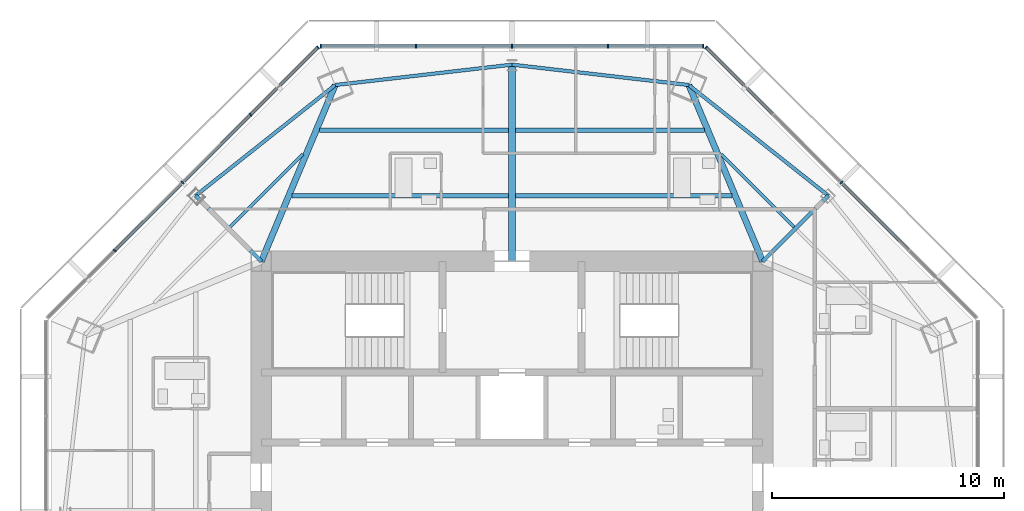
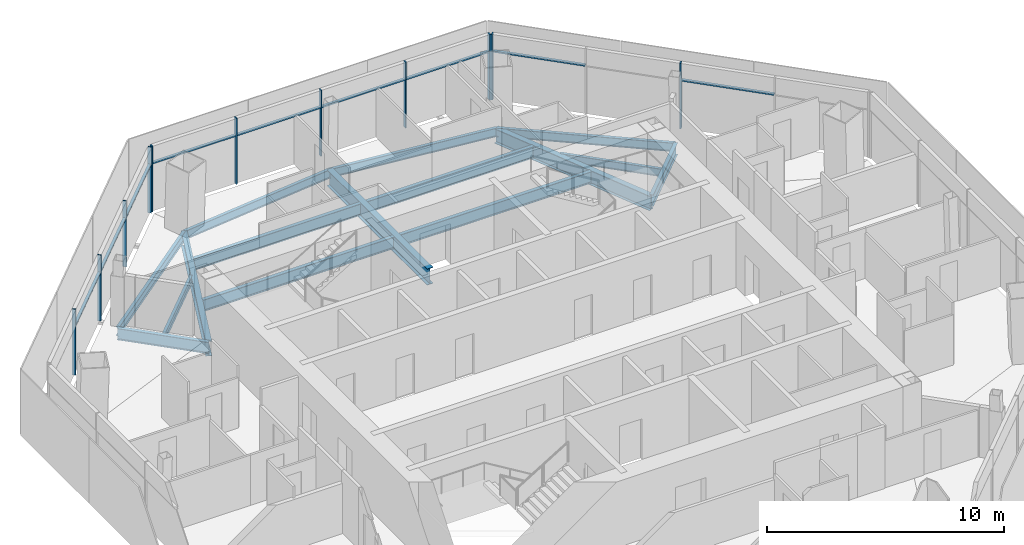
# One storey, part 6 of 15: 20 members, 15 beams, 3 elements without a shape of their own.
"""IFC4 building model written with IfcOpenShell, lengths in metres."""

from ifc_helpers import new_model, si_unit, direction, frame, origin, origin_2d, place, context, subcontext, project, spatial, rectangle, i_section, extrude, source, transform, mapped, material, material_profile, profile_set, type_object, type_shapes, element, aggregate, save


model = new_model("IFC4")

# Units and contexts
model_context = context("Model", 3, precision=1e-05, world=origin(), true_north=direction((0.0, 1.0)))
body_context = subcontext(model_context, "Body", "Model", "MODEL_VIEW")
ifc_project = project(units=[si_unit("LENGTHUNIT", "METRE"), si_unit("AREAUNIT", "SQUARE_METRE"), si_unit("VOLUMEUNIT", "CUBIC_METRE"), si_unit("PLANEANGLEUNIT", "RADIAN"), si_unit("MASSUNIT", "GRAM", prefix="KILO")], contexts=[model_context])

# Site, building, storey
site_placement = place(None, origin())
site = spatial("IfcSite", under=ifc_project, at=site_placement, CompositionType="ELEMENT")
building_placement = place(site_placement, origin())
building = spatial("IfcBuilding", under=site, at=building_placement, Name="Mashrafa Tower", CompositionType="ELEMENT")
storey_placement = place(building_placement, frame((0.0, 0.0, 281.0)))
storey = spatial("IfcBuildingStorey", under=building, at=storey_placement, Name="L68", CompositionType="ELEMENT", Elevation=281.0)

# Beams
ifc_material_1 = material(Name="Steel ASTM A992", Category="steel")
ifc_material_profile_1 = material_profile(ifc_material_1, i_section(OverallWidth=0.140380859375, OverallDepth=0.40380859375, WebThickness=0.007080078125, FlangeThickness=0.01123046875, FilletRadius=0.01025390625, at=origin_2d()), Name="W16X31")
ifc_profile_set_1 = profile_set([ifc_material_profile_1], Name="Steel ASTM A992")
beam_type_1 = type_object("IfcBeamType", Name="Beam W16X31", PredefinedType="BEAM", material=ifc_profile_set_1)
for number, where, z_axis, x_axis, name in (
    (1, (-12.150390625, 12.276611328125, -0.40185546875), (0.707106781187, 0.707106781187, 0.0), (-0.707106781187, 0.707106781187, 0.0), "Floor beam L68 007"),
    (2, (9.010498046875, 15.41650390625, -0.40185546875), (0.707106781187, -0.707106781187, 0.0), (0.707106781187, 0.707106781187, 0.0), "Floor beam L68 016"),
):
    element("IfcBeam", number, at=place(storey_placement, frame(where, z_axis=z_axis, x_axis=x_axis)), inside=storey, type_object=beam_type_1, Name=name, PredefinedType="BEAM", context=body_context, shape_type="SweptSolid", body=[
        extrude(i_section(OverallWidth=0.140380859375, OverallDepth=0.40380859375, WebThickness=0.007080078125, FlangeThickness=0.01123046875, FilletRadius=0.01025390625, at=origin_2d()), origin(), (0.0, 0.0, 1.0), 4.4404296875),
    ])
ifc_material_2 = material(Name="Steel ASTM A992", Category="steel")
ifc_material_profile_2 = material_profile(ifc_material_2, i_section(OverallWidth=0.15234375, OverallDepth=0.449462890625, WebThickness=0.007568359375, FlangeThickness=0.0107421875, FilletRadius=0.01025390625, at=origin_2d()), Name="W18X35")
ifc_profile_set_2 = profile_set([ifc_material_profile_2], Name="Steel ASTM A992")
beam_type_2 = type_object("IfcBeamType", Name="Beam W18X35", PredefinedType="BEAM", material=ifc_profile_set_2)
for number, where, z_axis, x_axis, name in (
    (3, (-7.61865234375, 18.39306640625, -0.4248046875), (-0.783439955868, -0.621467485512, 0.0), (0.621467485512, -0.783439955868, 0.0), "Spandrel beam L68 047"),
    (4, (0.0, 19.271240234375, -0.4248046875), (-0.993422313462, -0.114508109387, 0.0), (0.114508109387, -0.993422313462, 0.0), "Spandrel beam L68 049"),
    (5, (7.61865234375, 18.39306640625, -0.4248046875), (-0.993422313462, 0.114508109387, 0.0), (-0.114508109387, -0.993422313462, 0.0), "Spandrel beam L68 051"),
    (6, (13.626953125, 13.626953125, -0.4248046875), (-0.783439955868, 0.621467485512, 0.0), (-0.621467485512, -0.783439955868, 0.0), "Spandrel beam L68 053"),
):
    element("IfcBeam", number, at=place(storey_placement, frame(where, z_axis=z_axis, x_axis=x_axis)), inside=storey, type_object=beam_type_2, Name=name, PredefinedType="BEAM", context=body_context, shape_type="SweptSolid", body=[
        extrude(i_section(OverallWidth=0.15234375, OverallDepth=0.449462890625, WebThickness=0.007568359375, FlangeThickness=0.0107421875, FilletRadius=0.01025390625, at=origin_2d()), origin(), (0.0, 0.0, 1.0), 7.669189453125),
    ])
ifc_material_3 = material(Name="Steel ASTM A992", Category="steel")
ifc_material_profile_3 = material_profile(ifc_material_3, i_section(OverallWidth=0.177978515625, OverallDepth=0.599365234375, WebThickness=0.010009765625, FlangeThickness=0.012939453125, FilletRadius=0.012939453125, at=origin_2d()), Name="W24X55")
ifc_profile_set_3 = profile_set([ifc_material_profile_3], Name="Steel ASTM A992")
beam_type_3 = type_object("IfcBeamType", Name="Beam W24X55", PredefinedType="BEAM", material=ifc_profile_set_3)
beam_1_placement = place(storey_placement, frame((-9.472412109375, 13.623779296875, -0.499755859375), z_axis=(1.0, 0.0, 0.0), x_axis=(0.0, 1.0, 0.0)))
element("IfcBeam", 7, at=beam_1_placement, inside=storey, type_object=beam_type_3, Name="Floor beam L68 008", PredefinedType="BEAM", context=body_context, shape_type="SweptSolid", body=[
    extrude(i_section(OverallWidth=0.177978515625, OverallDepth=0.599365234375, WebThickness=0.010009765625, FlangeThickness=0.012939453125, FilletRadius=0.012939453125, at=origin_2d()), origin(), (0.0, 0.0, 1.0), 9.326416015625),
])
beam_2_placement = place(storey_placement, frame((-8.289306640625, 16.447509765625, -0.499755859375), z_axis=(1.0, 0.0, 0.0), x_axis=(0.0, 1.0, 0.0)))
element("IfcBeam", 8, at=beam_2_placement, inside=storey, type_object=beam_type_3, Name="Floor beam L68 010", PredefinedType="BEAM", context=body_context, shape_type="SweptSolid", body=[
    extrude(i_section(OverallWidth=0.177978515625, OverallDepth=0.599365234375, WebThickness=0.010009765625, FlangeThickness=0.012939453125, FilletRadius=0.012939453125, at=origin_2d()), origin(), (0.0, 0.0, 1.0), 8.143310546875),
])
beam_3_placement = place(storey_placement, frame((0.14599609375, 13.623779296875, -0.499755859375), z_axis=(1.0, 0.0, 0.0), x_axis=(0.0, 1.0, 0.0)))
element("IfcBeam", 9, at=beam_3_placement, inside=storey, type_object=beam_type_3, Name="Floor beam L68 013", PredefinedType="BEAM", context=body_context, shape_type="SweptSolid", body=[
    extrude(i_section(OverallWidth=0.177978515625, OverallDepth=0.599365234375, WebThickness=0.010009765625, FlangeThickness=0.012939453125, FilletRadius=0.012939453125, at=origin_2d()), origin(), (0.0, 0.0, 1.0), 9.326416015625),
])
beam_4_placement = place(storey_placement, frame((0.14599609375, 16.447509765625, -0.499755859375), z_axis=(1.0, 0.0, 0.0), x_axis=(0.0, 1.0, 0.0)))
element("IfcBeam", 10, at=beam_4_placement, inside=storey, type_object=beam_type_3, Name="Floor beam L68 014", PredefinedType="BEAM", context=body_context, shape_type="SweptSolid", body=[
    extrude(i_section(OverallWidth=0.177978515625, OverallDepth=0.599365234375, WebThickness=0.010009765625, FlangeThickness=0.012939453125, FilletRadius=0.012939453125, at=origin_2d()), origin(), (0.0, 0.0, 1.0), 8.143310546875),
])
for number, where, z_axis, x_axis, name in (
    (11, (-10.800048828125, 10.800048828125, -0.499755859375), (-0.707106781187, 0.707106781187, 0.0), (-0.707106781187, -0.707106781187, 0.0), "Radial girder L68 030"),
    (12, (10.800048828125, 10.800048828125, -0.499755859375), (0.707106781187, 0.707106781187, 0.0), (-0.707106781187, 0.707106781187, 0.0), "Radial girder L68 039"),
):
    element("IfcBeam", number, at=place(storey_placement, frame(where, z_axis=z_axis, x_axis=x_axis)), inside=storey, type_object=beam_type_3, Name=name, PredefinedType="BEAM", context=body_context, shape_type="SweptSolid", body=[
        extrude(i_section(OverallWidth=0.177978515625, OverallDepth=0.599365234375, WebThickness=0.010009765625, FlangeThickness=0.012939453125, FilletRadius=0.012939453125, at=origin_2d()), origin(), (0.0, 0.0, 1.0), 3.997802734375),
    ])
ifc_material_4 = material(Name="Steel ASTM A992", Category="steel")
ifc_material_profile_4 = material_profile(ifc_material_4, i_section(OverallWidth=0.2666015625, OverallDepth=0.761962890625, WebThickness=0.014404296875, FlangeThickness=0.021484375, FilletRadius=0.0166015625, at=origin_2d()), Name="W30X116")
ifc_profile_set_4 = profile_set([ifc_material_profile_4], Name="Steel ASTM A992")
beam_type_4 = type_object("IfcBeamType", Name="Beam W30X116", PredefinedType="BEAM", material=ifc_profile_set_4)
for number, where, z_axis, x_axis, name in (
    (13, (-10.800048828125, 10.800048828125, -0.5810546875), (0.386440285597, 0.922314428851, 0.0), (-0.922314428851, 0.386440285597, 0.0), "Radial girder L68 031"),
    (14, (10.800048828125, 10.800048828125, -0.5810546875), (-0.386440285597, 0.922314428851, 0.0), (-0.922314428851, -0.386440285597, 0.0), "Radial girder L68 038"),
):
    element("IfcBeam", number, at=place(storey_placement, frame(where, z_axis=z_axis, x_axis=x_axis)), inside=storey, type_object=beam_type_4, Name=name, PredefinedType="BEAM", context=body_context, shape_type="SweptSolid", body=[
        extrude(i_section(OverallWidth=0.2666015625, OverallDepth=0.761962890625, WebThickness=0.014404296875, FlangeThickness=0.021484375, FilletRadius=0.0166015625, at=origin_2d()), origin(), (0.0, 0.0, 1.0), 8.232666015625),
    ])
ifc_material_5 = material(Name="Steel ASTM A992", Category="steel")
ifc_material_profile_5 = material_profile(ifc_material_5, i_section(OverallWidth=0.2919921875, OverallDepth=0.845703125, WebThickness=0.015380859375, FlangeThickness=0.0244140625, FilletRadius=0.017333984375, at=origin_2d()), Name="W33X141")
ifc_profile_set_5 = profile_set([ifc_material_profile_5], Name="Steel ASTM A992")
beam_type_5 = type_object("IfcBeamType", Name="Beam W33X141", PredefinedType="BEAM", material=ifc_profile_set_5)
beam_5_placement = place(storey_placement, frame((0.0, 10.800048828125, -0.622802734375), z_axis=(0.0, 1.0, 0.0), x_axis=(-1.0, 0.0, 0.0)))
element("IfcBeam", 15, at=beam_5_placement, inside=storey, type_object=beam_type_5, Name="Radial girder L68 033", PredefinedType="BEAM", context=body_context, shape_type="SweptSolid", body=[
    extrude(i_section(OverallWidth=0.2919921875, OverallDepth=0.845703125, WebThickness=0.015380859375, FlangeThickness=0.0244140625, FilletRadius=0.017333984375, at=origin_2d()), origin(), (0.0, 0.0, 1.0), 8.47119140625),
])

# Curtain wall, members
ifc_material_6 = material(Name="Unitised aluminium curtain wall", Category="aluminium")
curtain_wall_type = type_object("IfcCurtainWallType", Name="Apartment curtain wall, zone 4 CW-D 160 deep", PredefinedType="NOTDEFINED", material=ifc_material_6)
curtain_wall_1_placement = place(storey_placement, origin())
curtain_wall_1 = element("IfcCurtainWall", 16, at=curtain_wall_1_placement, inside=storey, type_object=curtain_wall_type, Name="Apartment curtain wall, zone 4 L68 north-east", PredefinedType="NOTDEFINED")
ifc_material_7 = material(Name="Extruded aluminium mullion", Category="aluminium")
ifc_material_profile_6 = material_profile(ifc_material_7, rectangle(XDim=0.159912109375, YDim=0.06005859375, at=origin_2d()), Name="Mullion 60x160")
ifc_profile_set_6 = profile_set([ifc_material_profile_6], Name="Extruded aluminium mullion")
member_type_1 = type_object("IfcMemberType", Name="Mullion CW-D 60 x 160", PredefinedType="MULLION", material=ifc_profile_set_6)
shared_shape_1 = source(origin(), body_context, "Body", "SweptSolid", [
    extrude(rectangle(XDim=0.159912109375, YDim=0.06005859375, at=origin_2d()), origin(), (0.0, 0.0, 1.0), 3.39990234375),
])
type_shapes(member_type_1, [shared_shape_1])
member_1_placement = place(storey_placement, frame((14.1884765625, 14.1884765625, 0.0), z_axis=(0.0, 0.0, 1.0), x_axis=(-0.707106781187, -0.707106781187, 0.0)))
member_1 = element("IfcMember", 17, at=member_1_placement, type_object=member_type_1, Name="CW-D mullion 3", PredefinedType="MULLION", context=body_context, shape_type="MappedRepresentation", body=[
    mapped(shared_shape_1, transform((0.0, 0.0, 0.0))),
])
member_2_placement = place(storey_placement, frame((8.36328125, 20.013916015625, 0.0), z_axis=(0.0, 0.0, 1.0), x_axis=(-0.707106781187, -0.707106781187, 0.0)))
member_2 = element("IfcMember", 18, at=member_2_placement, type_object=member_type_1, Name="CW-D mullion 5", PredefinedType="MULLION", context=body_context, shape_type="MappedRepresentation", body=[
    mapped(shared_shape_1, transform((0.0, 0.0, 0.0))),
])

curtain_wall_2_placement = place(storey_placement, origin())
curtain_wall_2 = element("IfcCurtainWall", 19, at=curtain_wall_2_placement, inside=storey, type_object=curtain_wall_type, Name="Apartment curtain wall, zone 4 L68 north", PredefinedType="NOTDEFINED")
member_3_placement = place(storey_placement, frame((8.23828125, 20.065673828125, 0.0), z_axis=(0.0, 0.0, 1.0), x_axis=(0.0, -1.0, 0.0)))
member_3 = element("IfcMember", 20, at=member_3_placement, type_object=member_type_1, Name="CW-D mullion 1", PredefinedType="MULLION", context=body_context, shape_type="MappedRepresentation", body=[
    mapped(shared_shape_1, transform((0.0, 0.0, 0.0))),
])
member_4_placement = place(storey_placement, frame((4.13427734375, 20.065673828125, 0.0), z_axis=(0.0, 0.0, 1.0), x_axis=(0.0, -1.0, 0.0)))
member_4 = element("IfcMember", 21, at=member_4_placement, type_object=member_type_1, Name="CW-D mullion 2", PredefinedType="MULLION", context=body_context, shape_type="MappedRepresentation", body=[
    mapped(shared_shape_1, transform((0.0, 0.0, 0.0))),
])
member_5_placement = place(storey_placement, frame((0.0, 20.065673828125, 0.0), z_axis=(0.0, 0.0, 1.0), x_axis=(0.0, -1.0, 0.0)))
member_5 = element("IfcMember", 22, at=member_5_placement, type_object=member_type_1, Name="CW-D mullion 3", PredefinedType="MULLION", context=body_context, shape_type="MappedRepresentation", body=[
    mapped(shared_shape_1, transform((0.0, 0.0, 0.0))),
])
member_6_placement = place(storey_placement, frame((-4.13427734375, 20.065673828125, 0.0), z_axis=(0.0, 0.0, 1.0), x_axis=(0.0, -1.0, 0.0)))
member_6 = element("IfcMember", 23, at=member_6_placement, type_object=member_type_1, Name="CW-D mullion 4", PredefinedType="MULLION", context=body_context, shape_type="MappedRepresentation", body=[
    mapped(shared_shape_1, transform((0.0, 0.0, 0.0))),
])
member_7_placement = place(storey_placement, frame((-8.23828125, 20.065673828125, 0.0), z_axis=(0.0, 0.0, 1.0), x_axis=(0.0, -1.0, 0.0)))
member_7 = element("IfcMember", 24, at=member_7_placement, type_object=member_type_1, Name="CW-D mullion 5", PredefinedType="MULLION", context=body_context, shape_type="MappedRepresentation", body=[
    mapped(shared_shape_1, transform((0.0, 0.0, 0.0))),
])

curtain_wall_3_placement = place(storey_placement, origin())
curtain_wall_3 = element("IfcCurtainWall", 25, at=curtain_wall_3_placement, inside=storey, type_object=curtain_wall_type, Name="Apartment curtain wall, zone 4 L68 north-west", PredefinedType="NOTDEFINED")
member_8_placement = place(storey_placement, frame((-8.36328125, 20.013916015625, 0.0), z_axis=(0.0, 0.0, 1.0), x_axis=(0.707106781187, -0.707106781187, 0.0)))
member_8 = element("IfcMember", 26, at=member_8_placement, type_object=member_type_1, Name="CW-D mullion 1", PredefinedType="MULLION", context=body_context, shape_type="MappedRepresentation", body=[
    mapped(shared_shape_1, transform((0.0, 0.0, 0.0))),
])
member_9_placement = place(storey_placement, frame((-11.26513671875, 17.11181640625, 0.0), z_axis=(0.0, 0.0, 1.0), x_axis=(0.707106781187, -0.707106781187, 0.0)))
member_9 = element("IfcMember", 27, at=member_9_placement, type_object=member_type_1, Name="CW-D mullion 2", PredefinedType="MULLION", context=body_context, shape_type="MappedRepresentation", body=[
    mapped(shared_shape_1, transform((0.0, 0.0, 0.0))),
])
member_10_placement = place(storey_placement, frame((-14.1884765625, 14.1884765625, 0.0), z_axis=(0.0, 0.0, 1.0), x_axis=(0.707106781187, -0.707106781187, 0.0)))
member_10 = element("IfcMember", 28, at=member_10_placement, type_object=member_type_1, Name="CW-D mullion 3", PredefinedType="MULLION", context=body_context, shape_type="MappedRepresentation", body=[
    mapped(shared_shape_1, transform((0.0, 0.0, 0.0))),
])
member_11_placement = place(storey_placement, frame((-17.11181640625, 11.26513671875, 0.0), z_axis=(0.0, 0.0, 1.0), x_axis=(0.707106781187, -0.707106781187, 0.0)))
member_11 = element("IfcMember", 29, at=member_11_placement, type_object=member_type_1, Name="CW-D mullion 4", PredefinedType="MULLION", context=body_context, shape_type="MappedRepresentation", body=[
    mapped(shared_shape_1, transform((0.0, 0.0, 0.0))),
])

# Member
ifc_material_8 = material(Name="Extruded aluminium transom", Category="aluminium")
ifc_material_profile_7 = material_profile(ifc_material_8, rectangle(XDim=0.1279296875, YDim=0.074951171875, at=origin_2d()), Name="Transom 75x128")
ifc_profile_set_7 = profile_set([ifc_material_profile_7], Name="Extruded aluminium transom")
member_type_2 = type_object("IfcMemberType", Name="Transom CW-D 75 x 128", PredefinedType="MULLION", material=ifc_profile_set_7)
shared_shape_2 = source(origin(), body_context, "Body", "SweptSolid", [
    extrude(rectangle(XDim=0.1279296875, YDim=0.074951171875, at=origin_2d()), origin(), (0.0, 0.0, 1.0), 4.044189453125),
])
member_12_placement = place(storey_placement, frame((11.244140625, 17.133056640625, 2.5), z_axis=(-0.707136963954, 0.707076597131, 0.0), x_axis=(-0.707076597131, -0.707136963954, 0.0)))
member_12 = element("IfcMember", 30, at=member_12_placement, type_object=member_type_2, Name="CW-D transom 4", PredefinedType="MULLION", context=body_context, shape_type="MappedRepresentation", body=[
    mapped(shared_shape_2, transform((0.0, 0.0, 0.0))),
])

member_13_placement = place(storey_placement, frame((8.208251953125, 20.065673828125, 2.5), z_axis=(-1.0, 0.0, 0.0), x_axis=(0.0, -1.0, 0.0)))
member_13 = element("IfcMember", 31, at=member_13_placement, type_object=member_type_2, Name="CW-D transom 1", PredefinedType="MULLION", context=body_context, shape_type="MappedRepresentation", body=[
    mapped(shared_shape_2, transform((0.0, 0.0, 0.0))),
])

member_14_placement = place(storey_placement, frame((-4.1640625, 20.065673828125, 2.5), z_axis=(-1.0, 0.0, 0.0), x_axis=(0.0, -1.0, 0.0)))
member_14 = element("IfcMember", 32, at=member_14_placement, type_object=member_type_2, Name="CW-D transom 4", PredefinedType="MULLION", context=body_context, shape_type="MappedRepresentation", body=[
    mapped(shared_shape_2, transform((0.0, 0.0, 0.0))),
])

member_15_placement = place(storey_placement, frame((-8.38427734375, 19.99267578125, 2.5), z_axis=(-0.707136963954, -0.707076597131, 0.0), x_axis=(0.707076597131, -0.707136963954, 0.0)))
member_15 = element("IfcMember", 33, at=member_15_placement, type_object=member_type_2, Name="CW-D transom 1", PredefinedType="MULLION", context=body_context, shape_type="MappedRepresentation", body=[
    mapped(shared_shape_2, transform((0.0, 0.0, 0.0))),
])

shared_shape_3 = source(origin(), body_context, "Body", "SweptSolid", [
    extrude(rectangle(XDim=0.1279296875, YDim=0.074951171875, at=origin_2d()), origin(), (0.0, 0.0, 1.0), 4.07421875),
])
type_shapes(member_type_2, [shared_shape_2, shared_shape_3])
member_16_placement = place(storey_placement, frame((17.090576171875, 11.286376953125, 2.5), z_axis=(-0.707106781187, 0.707106781187, 0.0), x_axis=(-0.707106781187, -0.707106781187, 0.0)))
member_16 = element("IfcMember", 34, at=member_16_placement, type_object=member_type_2, Name="CW-D transom 2", PredefinedType="MULLION", context=body_context, shape_type="MappedRepresentation", body=[
    mapped(shared_shape_3, transform((0.0, 0.0, 0.0))),
])

aggregate(curtain_wall_1, [member_1, member_2, member_16, member_12])

member_17_placement = place(storey_placement, frame((4.104248046875, 20.065673828125, 2.5), z_axis=(-1.0, 0.0, 0.0), x_axis=(0.0, -1.0, 0.0)))
member_17 = element("IfcMember", 35, at=member_17_placement, type_object=member_type_2, Name="CW-D transom 2", PredefinedType="MULLION", context=body_context, shape_type="MappedRepresentation", body=[
    mapped(shared_shape_3, transform((0.0, 0.0, 0.0))),
])

member_18_placement = place(storey_placement, frame((-0.030029296875, 20.065673828125, 2.5), z_axis=(-1.0, 0.0, 0.0), x_axis=(0.0, -1.0, 0.0)))
member_18 = element("IfcMember", 36, at=member_18_placement, type_object=member_type_2, Name="CW-D transom 3", PredefinedType="MULLION", context=body_context, shape_type="MappedRepresentation", body=[
    mapped(shared_shape_3, transform((0.0, 0.0, 0.0))),
])

aggregate(curtain_wall_2, [member_3, member_4, member_5, member_6, member_7, member_13, member_17, member_18, member_14])

member_19_placement = place(storey_placement, frame((-11.286376953125, 17.090576171875, 2.5), z_axis=(-0.707106781187, -0.707106781187, 0.0), x_axis=(0.707106781187, -0.707106781187, 0.0)))
member_19 = element("IfcMember", 37, at=member_19_placement, type_object=member_type_2, Name="CW-D transom 2", PredefinedType="MULLION", context=body_context, shape_type="MappedRepresentation", body=[
    mapped(shared_shape_3, transform((0.0, 0.0, 0.0))),
])

member_20_placement = place(storey_placement, frame((-14.209716796875, 14.167236328125, 2.5), z_axis=(-0.707106781187, -0.707106781187, 0.0), x_axis=(0.707106781187, -0.707106781187, 0.0)))
member_20 = element("IfcMember", 38, at=member_20_placement, type_object=member_type_2, Name="CW-D transom 3", PredefinedType="MULLION", context=body_context, shape_type="MappedRepresentation", body=[
    mapped(shared_shape_3, transform((0.0, 0.0, 0.0))),
])

aggregate(curtain_wall_3, [member_8, member_9, member_10, member_11, member_15, member_19, member_20])

save(model, "model.ifc")
